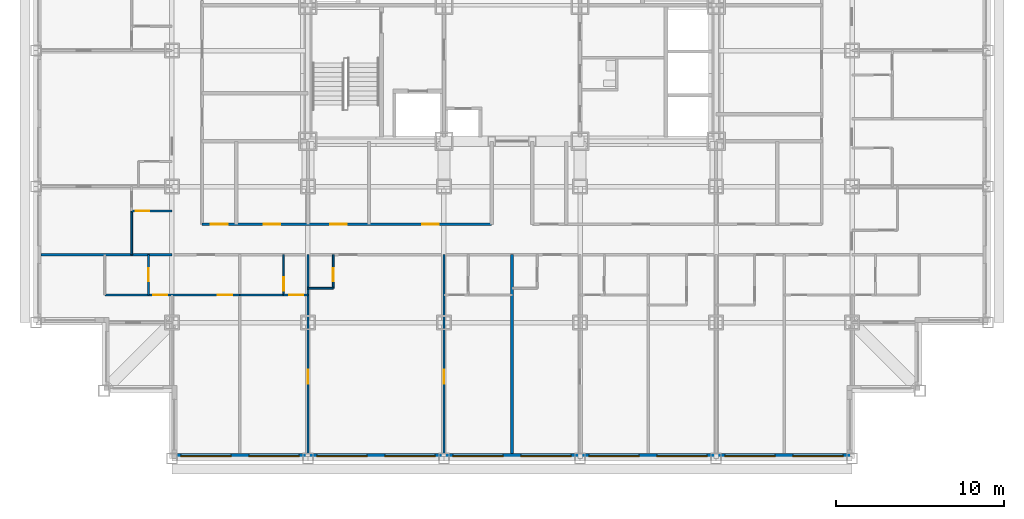
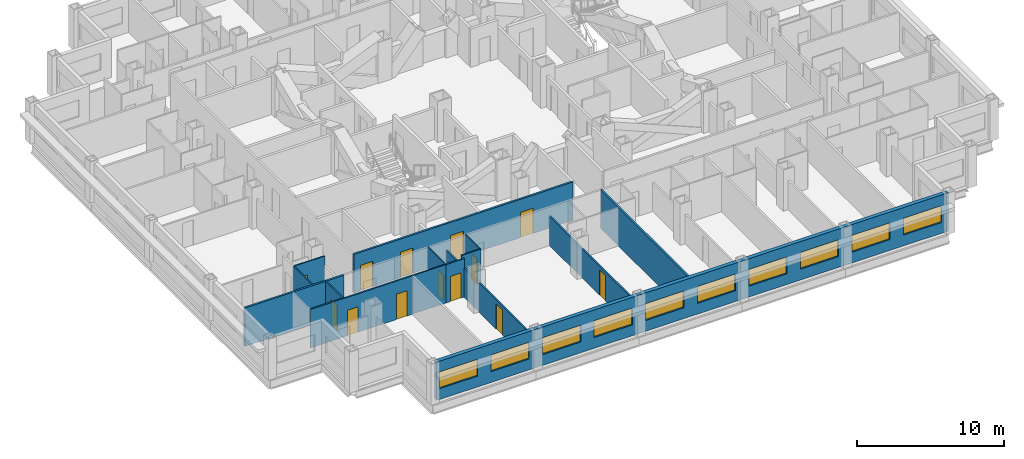
# One storey, part 4 of 14: 15 walls, 13 doors, 10 windows, 23 openings.
"""IFC4 building model written with IfcOpenShell, lengths in metres."""

from ifc_helpers import new_model, si_unit, direction, frame, frame_2d, origin, place, context, subcontext, project, spatial, rectangle, extrude, material, layer, layer_set, type_object, element, fill, save


model = new_model("IFC4")

# Units and contexts
model_context = context("Model", 3, precision=1e-05, world=origin(), true_north=direction((0.0, 1.0)))
body_context = subcontext(model_context, "Body", "Model", "MODEL_VIEW")
ifc_project = project(units=[si_unit("LENGTHUNIT", "METRE"), si_unit("AREAUNIT", "SQUARE_METRE"), si_unit("VOLUMEUNIT", "CUBIC_METRE"), si_unit("PLANEANGLEUNIT", "RADIAN"), si_unit("MASSUNIT", "GRAM", prefix="KILO")], contexts=[model_context])

# Site, building, storey
site_placement = place(None, origin())
site = spatial("IfcSite", under=ifc_project, at=site_placement, CompositionType="ELEMENT")
building_placement = place(site_placement, origin())
building = spatial("IfcBuilding", under=site, at=building_placement, Name="Kopane Lantern Tower", CompositionType="ELEMENT")
storey_placement = place(building_placement, frame((0.0, 0.0, 151.0)))
storey = spatial("IfcBuildingStorey", under=building, at=storey_placement, Name="L39", CompositionType="ELEMENT", Elevation=151.0)

# Wall, opening, door
ifc_material_1 = material(Name="Gypsum board on steel studs", Category="steel")
ifc_layer_1 = layer(ifc_material_1, 0.1201171875)
ifc_layer_set_1 = layer_set([ifc_layer_1], Name="APARTMENT INTERNAL WALL 120")
wall_type_1 = type_object("IfcWallType", Name="APARTMENT INTERNAL WALL 120", PredefinedType="PARTITIONING", material=ifc_layer_set_1)
wall_1_placement = place(storey_placement, frame((16.199951171875, 17.550048828125, 0.0), z_axis=(0.0, 0.0, 1.0), x_axis=(0.0, -1.0, 0.0)))
wall_1 = element("IfcWall", 1, at=wall_1_placement, inside=storey, type_object=wall_type_1, Name="Apartment Internal Wall 120 L39", PredefinedType="PARTITIONING", context=body_context, shape_type="SweptSolid", body=[
    extrude(rectangle(XDim=11.85009765625, YDim=0.1201171875, at=frame_2d((5.925048828125, 0.0))), origin(), (0.0, 0.0, 1.0), 2.420166015625),
])
opening_1_placement = place(wall_1_placement, frame((6.85009765625, 0.0, 0.0)))
opening_1 = element("IfcOpeningElement", 2, at=opening_1_placement, cuts=wall_1, Name="Opening L39-026", PredefinedType="OPENING", context=body_context, shape_type="SweptSolid", body=[
    extrude(rectangle(XDim=0.85009765625, YDim=2.10009765625, at=frame_2d((0.425048828125, 1.050048828125))), frame((0.0, 0.070068359375, 0.0), z_axis=(0.0, -1.0, 0.0), x_axis=(1.0, 0.0, 0.0)), (0.0, 0.0, 1.0), 0.14013671875),
])
ifc_material_2 = material(Name="Timber door set", Category="wood")
door_type_1 = type_object("IfcDoorType", Name="DOOR D4 850x2100", OperationType="SINGLE_SWING_LEFT", PredefinedType="DOOR", material=ifc_material_2)
door_1_placement = place(opening_1_placement, origin())
door_1 = element("IfcDoor", 3, at=door_1_placement, inside=storey, type_object=door_type_1, Name="Door L39-026", OperationType="SINGLE_SWING_RIGHT", OverallHeight=2.10009765625, OverallWidth=0.85009765625, PredefinedType="DOOR", context=body_context, shape_type="SweptSolid", body=[
    extrude(rectangle(XDim=0.85009765625, YDim=2.10009765625, at=frame_2d((0.425048828125, 1.050048828125))), frame((0.0, 0.02490234375, 0.0), z_axis=(0.0, -1.0, 0.0), x_axis=(1.0, 0.0, 0.0)), (0.0, 0.0, 1.0), 0.050048828125),
])
fill(opening_1, door_1)

wall_2_placement = place(storey_placement, frame((24.300048828125, 17.550048828125, 0.0), z_axis=(0.0, 0.0, 1.0), x_axis=(0.0, -1.0, 0.0)))
wall_2 = element("IfcWall", 4, at=wall_2_placement, inside=storey, type_object=wall_type_1, Name="Apartment Internal Wall 120 L39", PredefinedType="PARTITIONING", context=body_context, shape_type="SweptSolid", body=[
    extrude(rectangle(XDim=11.85009765625, YDim=0.1201171875, at=frame_2d((5.925048828125, 0.0))), origin(), (0.0, 0.0, 1.0), 2.420166015625),
])
opening_2_placement = place(wall_2_placement, frame((6.85009765625, 0.0, 0.0)))
opening_2 = element("IfcOpeningElement", 5, at=opening_2_placement, cuts=wall_2, Name="Opening L39-028", PredefinedType="OPENING", context=body_context, shape_type="SweptSolid", body=[
    extrude(rectangle(XDim=0.85009765625, YDim=2.10009765625, at=frame_2d((0.425048828125, 1.050048828125))), frame((0.0, 0.070068359375, 0.0), z_axis=(0.0, -1.0, 0.0), x_axis=(1.0, 0.0, 0.0)), (0.0, 0.0, 1.0), 0.14013671875),
])
door_2_placement = place(opening_2_placement, origin())
door_2 = element("IfcDoor", 6, at=door_2_placement, inside=storey, type_object=door_type_1, Name="Door L39-028", OperationType="SINGLE_SWING_LEFT", OverallHeight=2.10009765625, OverallWidth=0.85009765625, PredefinedType="DOOR", context=body_context, shape_type="SweptSolid", body=[
    extrude(rectangle(XDim=0.85009765625, YDim=2.10009765625, at=frame_2d((0.425048828125, 1.050048828125))), frame((0.0, 0.02490234375, 0.0), z_axis=(0.0, -1.0, 0.0), x_axis=(1.0, 0.0, 0.0)), (0.0, 0.0, 1.0), 0.050048828125),
])
fill(opening_2, door_2)

# Wall, openings, doors
wall_3_placement = place(storey_placement, frame((4.10009765625, 15.14990234375, 0.0), z_axis=(0.0, 0.0, 1.0), x_axis=(1.0, 0.0, 0.0)))
wall_3 = element("IfcWall", 7, at=wall_3_placement, inside=storey, type_object=wall_type_1, Name="Apartment Internal Wall 120 L39", PredefinedType="PARTITIONING", context=body_context, shape_type="SweptSolid", body=[
    extrude(rectangle(XDim=8.0498046875, YDim=0.1201171875, at=frame_2d((4.02490234375, 0.0))), origin(), (0.0, 0.0, 1.0), 3.18994140625),
])
opening_3_placement = place(wall_3_placement, frame((6.72509765625, 0.0, 0.0)))
opening_3 = element("IfcOpeningElement", 8, at=opening_3_placement, cuts=wall_3, Name="Opening L39-077", PredefinedType="OPENING", context=body_context, shape_type="SweptSolid", body=[
    extrude(rectangle(XDim=0.85009765625, YDim=2.10009765625, at=frame_2d((0.425048828125, 1.050048828125))), frame((0.0, 0.070068359375, 0.0), z_axis=(0.0, -1.0, 0.0), x_axis=(1.0, 0.0, 0.0)), (0.0, 0.0, 1.0), 0.14013671875),
])
opening_4_placement = place(wall_3_placement, frame((2.875, 0.0, 0.0)))
opening_4 = element("IfcOpeningElement", 9, at=opening_4_placement, cuts=wall_3, Name="Opening L39-079", PredefinedType="OPENING", context=body_context, shape_type="SweptSolid", body=[
    extrude(rectangle(XDim=0.85009765625, YDim=2.10009765625, at=frame_2d((0.425048828125, 1.050048828125))), frame((0.0, 0.070068359375, 0.0), z_axis=(0.0, -1.0, 0.0), x_axis=(1.0, 0.0, 0.0)), (0.0, 0.0, 1.0), 0.14013671875),
])
door_3_placement = place(opening_3_placement, origin())
door_3 = element("IfcDoor", 10, at=door_3_placement, inside=storey, type_object=door_type_1, Name="Door L39-077", OperationType="SINGLE_SWING_RIGHT", OverallHeight=2.10009765625, OverallWidth=0.85009765625, PredefinedType="DOOR", context=body_context, shape_type="SweptSolid", body=[
    extrude(rectangle(XDim=0.85009765625, YDim=2.10009765625, at=frame_2d((0.425048828125, 1.050048828125))), frame((0.0, 0.02490234375, 0.0), z_axis=(0.0, -1.0, 0.0), x_axis=(1.0, 0.0, 0.0)), (0.0, 0.0, 1.0), 0.050048828125),
])
fill(opening_3, door_3)
door_4_placement = place(opening_4_placement, origin())
door_4 = element("IfcDoor", 11, at=door_4_placement, inside=storey, type_object=door_type_1, Name="Door L39-079", OperationType="SINGLE_SWING_LEFT", OverallHeight=2.10009765625, OverallWidth=0.85009765625, PredefinedType="DOOR", context=body_context, shape_type="SweptSolid", body=[
    extrude(rectangle(XDim=0.85009765625, YDim=2.10009765625, at=frame_2d((0.425048828125, 1.050048828125))), frame((0.0, 0.02490234375, 0.0), z_axis=(0.0, -1.0, 0.0), x_axis=(1.0, 0.0, 0.0)), (0.0, 0.0, 1.0), 0.050048828125),
])
fill(opening_4, door_4)

# Wall, opening, door
wall_4_placement = place(storey_placement, frame((16.199951171875, 15.14990234375, 0.0), z_axis=(0.0, 0.0, 1.0), x_axis=(-1.0, 0.0, 0.0)))
wall_4 = element("IfcWall", 12, at=wall_4_placement, inside=storey, type_object=wall_type_1, Name="Apartment Internal Wall 120 L39", PredefinedType="PARTITIONING", context=body_context, shape_type="SweptSolid", body=[
    extrude(rectangle(XDim=1.4599609375, YDim=0.1201171875, at=frame_2d((0.72998046875, 0.0))), origin(), (0.0, 0.0, 1.0), 3.18994140625),
])
opening_5_placement = place(wall_4_placement, frame((0.27490234375, 0.0, 0.0)))
opening_5 = element("IfcOpeningElement", 13, at=opening_5_placement, cuts=wall_4, Name="Opening L39-092", PredefinedType="OPENING", context=body_context, shape_type="SweptSolid", body=[
    extrude(rectangle(XDim=0.85009765625, YDim=2.10009765625, at=frame_2d((0.425048828125, 1.050048828125))), frame((0.0, 0.070068359375, 0.0), z_axis=(0.0, -1.0, 0.0), x_axis=(1.0, 0.0, 0.0)), (0.0, 0.0, 1.0), 0.14013671875),
])
door_5_placement = place(opening_5_placement, origin())
door_5 = element("IfcDoor", 14, at=door_5_placement, inside=storey, type_object=door_type_1, Name="Door L39-092", OperationType="SINGLE_SWING_LEFT", OverallHeight=2.10009765625, OverallWidth=0.85009765625, PredefinedType="DOOR", context=body_context, shape_type="SweptSolid", body=[
    extrude(rectangle(XDim=0.85009765625, YDim=2.10009765625, at=frame_2d((0.425048828125, 1.050048828125))), frame((0.0, 0.02490234375, 0.0), z_axis=(0.0, -1.0, 0.0), x_axis=(1.0, 0.0, 0.0)), (0.0, 0.0, 1.0), 0.050048828125),
])
fill(opening_5, door_5)

# Wall
ifc_material_3 = material(Name="Moisture-resistant board on steel studs", Category="steel")
ifc_layer_2 = layer(ifc_material_3, 0.10009765625)
ifc_layer_set_2 = layer_set([ifc_layer_2], Name="BATHROOM WALL 100")
wall_type_2 = type_object("IfcWallType", Name="BATHROOM WALL 100", PredefinedType="PARTITIONING", material=ifc_layer_set_2)
wall_5_placement = place(storey_placement, frame((16.199951171875, 15.550048828125, 0.0), z_axis=(0.0, 0.0, 1.0), x_axis=(1.0, 0.0, 0.0)))
element("IfcWall", 15, at=wall_5_placement, inside=storey, type_object=wall_type_2, Name="Bathroom Wall 100 L39", PredefinedType="PARTITIONING", context=body_context, shape_type="SweptSolid", body=[
    extrude(rectangle(XDim=1.5, YDim=0.10009765625, at=frame_2d((0.75, 0.0))), origin(), (0.0, 0.0, 1.0), 3.18994140625),
])

# Wall, opening, door
wall_6_placement = place(storey_placement, frame((17.699951171875, 17.550048828125, 0.0), z_axis=(0.0, 0.0, 1.0), x_axis=(0.0, -1.0, 0.0)))
wall_6 = element("IfcWall", 16, at=wall_6_placement, inside=storey, type_object=wall_type_2, Name="Bathroom Wall 100 L39", PredefinedType="PARTITIONING", context=body_context, shape_type="SweptSolid", body=[
    extrude(rectangle(XDim=2.0, YDim=0.10009765625, at=frame_2d((1.0, 0.0))), origin(), (0.0, 0.0, 1.0), 3.18994140625),
])
opening_6_placement = place(wall_6_placement, frame((0.800048828125, 0.0, 0.0)))
opening_6 = element("IfcOpeningElement", 17, at=opening_6_placement, cuts=wall_6, Name="Opening L39-023", PredefinedType="OPENING", context=body_context, shape_type="SweptSolid", body=[
    extrude(rectangle(XDim=0.800048828125, YDim=2.10009765625, at=frame_2d((0.39990234375, 1.050048828125))), frame((0.0, 0.06005859375, 0.0), z_axis=(0.0, -1.0, 0.0), x_axis=(1.0, 0.0, 0.0)), (0.0, 0.0, 1.0), 0.1201171875),
])
ifc_material_4 = material(Name="Timber door set", Category="wood")
door_type_2 = type_object("IfcDoorType", Name="DOOR D2 800x2100", OperationType="SINGLE_SWING_LEFT", PredefinedType="DOOR", material=ifc_material_4)
door_6_placement = place(opening_6_placement, origin())
door_6 = element("IfcDoor", 18, at=door_6_placement, inside=storey, type_object=door_type_2, Name="Door L39-023", OperationType="SINGLE_SWING_LEFT", OverallHeight=2.10009765625, OverallWidth=0.800048828125, PredefinedType="DOOR", context=body_context, shape_type="SweptSolid", body=[
    extrude(rectangle(XDim=0.800048828125, YDim=2.10009765625, at=frame_2d((0.39990234375, 1.050048828125))), frame((0.0, 0.02490234375, 0.0), z_axis=(0.0, -1.0, 0.0), x_axis=(1.0, 0.0, 0.0)), (0.0, 0.0, 1.0), 0.050048828125),
])
fill(opening_6, door_6)

# Wall
wall_7_placement = place(storey_placement, frame((12.14990234375, 15.14990234375, 0.0), z_axis=(0.0, 0.0, 1.0), x_axis=(1.0, 0.0, 0.0)))
element("IfcWall", 19, at=wall_7_placement, inside=storey, type_object=wall_type_2, Name="Bathroom Wall 100 L39", PredefinedType="PARTITIONING", context=body_context, shape_type="SweptSolid", body=[
    extrude(rectangle(XDim=2.60009765625, YDim=0.10009765625, at=frame_2d((1.300048828125, 0.0))), origin(), (0.0, 0.0, 1.0), 3.18994140625),
])

# Wall, opening, door
wall_8_placement = place(storey_placement, frame((14.75, 17.550048828125, 0.0), z_axis=(0.0, 0.0, 1.0), x_axis=(0.0, -1.0, 0.0)))
wall_8 = element("IfcWall", 20, at=wall_8_placement, inside=storey, type_object=wall_type_2, Name="Bathroom Wall 100 L39", PredefinedType="PARTITIONING", context=body_context, shape_type="SweptSolid", body=[
    extrude(rectangle(XDim=2.400146484375, YDim=0.10009765625, at=frame_2d((1.2001953125, 0.0))), origin(), (0.0, 0.0, 1.0), 3.18994140625),
])
opening_7_placement = place(wall_8_placement, frame((1.35009765625, 0.0, 0.0)))
opening_7 = element("IfcOpeningElement", 21, at=opening_7_placement, cuts=wall_8, Name="Opening L39-025", PredefinedType="OPENING", context=body_context, shape_type="SweptSolid", body=[
    extrude(rectangle(XDim=0.800048828125, YDim=2.10009765625, at=frame_2d((0.39990234375, 1.050048828125))), frame((0.0, 0.06005859375, 0.0), z_axis=(0.0, -1.0, 0.0), x_axis=(1.0, 0.0, 0.0)), (0.0, 0.0, 1.0), 0.1201171875),
])
door_7_placement = place(opening_7_placement, origin())
door_7 = element("IfcDoor", 22, at=door_7_placement, inside=storey, type_object=door_type_2, Name="Door L39-025", OperationType="SINGLE_SWING_RIGHT", OverallHeight=2.10009765625, OverallWidth=0.800048828125, PredefinedType="DOOR", context=body_context, shape_type="SweptSolid", body=[
    extrude(rectangle(XDim=0.800048828125, YDim=2.10009765625, at=frame_2d((0.39990234375, 1.050048828125))), frame((0.0, 0.02490234375, 0.0), z_axis=(0.0, -1.0, 0.0), x_axis=(1.0, 0.0, 0.0)), (0.0, 0.0, 1.0), 0.050048828125),
])
fill(opening_7, door_7)

# Wall
wall_9_placement = place(storey_placement, frame((5.699951171875, 17.550048828125, 0.0), z_axis=(0.0, 0.0, 1.0), x_axis=(0.0, 1.0, 0.0)))
element("IfcWall", 23, at=wall_9_placement, inside=storey, type_object=wall_type_2, Name="Bathroom Wall 100 L39", PredefinedType="PARTITIONING", context=body_context, shape_type="SweptSolid", body=[
    extrude(rectangle(XDim=2.599853515625, YDim=0.10009765625, at=frame_2d((1.2998046875, 0.0))), origin(), (0.0, 0.0, 1.0), 3.18994140625),
])

# Wall, opening, door
wall_10_placement = place(storey_placement, frame((8.10009765625, 20.14990234375, 0.0), z_axis=(0.0, 0.0, 1.0), x_axis=(-1.0, 0.0, 0.0)))
wall_10 = element("IfcWall", 24, at=wall_10_placement, inside=storey, type_object=wall_type_2, Name="Bathroom Wall 100 L39", PredefinedType="PARTITIONING", context=body_context, shape_type="SweptSolid", body=[
    extrude(rectangle(XDim=2.400146484375, YDim=0.10009765625, at=frame_2d((1.2001953125, 0.0))), origin(), (0.0, 0.0, 1.0), 3.18994140625),
])
opening_8_placement = place(wall_10_placement, frame((1.35009765625, 0.0, 0.0)))
opening_8 = element("IfcOpeningElement", 25, at=opening_8_placement, cuts=wall_10, Name="Opening L39-053", PredefinedType="OPENING", context=body_context, shape_type="SweptSolid", body=[
    extrude(rectangle(XDim=0.800048828125, YDim=2.10009765625, at=frame_2d((0.39990234375, 1.050048828125))), frame((0.0, 0.06005859375, 0.0), z_axis=(0.0, -1.0, 0.0), x_axis=(1.0, 0.0, 0.0)), (0.0, 0.0, 1.0), 0.1201171875),
])
door_8_placement = place(opening_8_placement, origin())
door_8 = element("IfcDoor", 26, at=door_8_placement, inside=storey, type_object=door_type_2, Name="Door L39-053", OperationType="SINGLE_SWING_LEFT", OverallHeight=2.10009765625, OverallWidth=0.800048828125, PredefinedType="DOOR", context=body_context, shape_type="SweptSolid", body=[
    extrude(rectangle(XDim=0.800048828125, YDim=2.10009765625, at=frame_2d((0.39990234375, 1.050048828125))), frame((0.0, 0.02490234375, 0.0), z_axis=(0.0, -1.0, 0.0), x_axis=(1.0, 0.0, 0.0)), (0.0, 0.0, 1.0), 0.050048828125),
])
fill(opening_8, door_8)

wall_11_placement = place(storey_placement, frame((6.699951171875, 17.550048828125, 0.0), z_axis=(0.0, 0.0, 1.0), x_axis=(0.0, -1.0, 0.0)))
wall_11 = element("IfcWall", 27, at=wall_11_placement, inside=storey, type_object=wall_type_2, Name="Bathroom Wall 100 L39", PredefinedType="PARTITIONING", context=body_context, shape_type="SweptSolid", body=[
    extrude(rectangle(XDim=2.400146484375, YDim=0.10009765625, at=frame_2d((1.2001953125, 0.0))), origin(), (0.0, 0.0, 1.0), 3.18994140625),
])
opening_9_placement = place(wall_11_placement, frame((0.800048828125, 0.0, 0.0)))
opening_9 = element("IfcOpeningElement", 28, at=opening_9_placement, cuts=wall_11, Name="Opening L39-078", PredefinedType="OPENING", context=body_context, shape_type="SweptSolid", body=[
    extrude(rectangle(XDim=0.800048828125, YDim=2.10009765625, at=frame_2d((0.39990234375, 1.050048828125))), frame((0.0, 0.06005859375, 0.0), z_axis=(0.0, -1.0, 0.0), x_axis=(1.0, 0.0, 0.0)), (0.0, 0.0, 1.0), 0.1201171875),
])
door_9_placement = place(opening_9_placement, origin())
door_9 = element("IfcDoor", 29, at=door_9_placement, inside=storey, type_object=door_type_2, Name="Door L39-078", OperationType="SINGLE_SWING_RIGHT", OverallHeight=2.10009765625, OverallWidth=0.800048828125, PredefinedType="DOOR", context=body_context, shape_type="SweptSolid", body=[
    extrude(rectangle(XDim=0.800048828125, YDim=2.10009765625, at=frame_2d((0.39990234375, 1.050048828125))), frame((0.0, 0.02490234375, 0.0), z_axis=(0.0, -1.0, 0.0), x_axis=(1.0, 0.0, 0.0)), (0.0, 0.0, 1.0), 0.050048828125),
])
fill(opening_9, door_9)

# Wall, openings, doors
ifc_material_5 = material(Name="Gypsum board on steel studs", Category="steel")
ifc_layer_3 = layer(ifc_material_5, 0.14990234375)
ifc_layer_set_3 = layer_set([ifc_layer_3], Name="CORRIDOR WALL 150 EI 60")
wall_type_3 = type_object("IfcWallType", Name="CORRIDOR WALL 150 EI 60", PredefinedType="PARTITIONING", material=ifc_layer_set_3)
wall_12_placement = place(storey_placement, frame((9.89990234375, 19.35009765625, 0.0), z_axis=(0.0, 0.0, 1.0), x_axis=(1.0, 0.0, 0.0)))
wall_12 = element("IfcWall", 30, at=wall_12_placement, inside=storey, type_object=wall_type_3, Name="Corridor Wall 150 Ei 60 L39", PredefinedType="PARTITIONING", context=body_context, shape_type="SweptSolid", body=[
    extrude(rectangle(XDim=17.239990234375, YDim=0.14990234375, at=frame_2d((8.6201171875, 0.0))), origin(), (0.0, 0.0, 1.0), 3.18994140625),
])
opening_10_placement = place(wall_12_placement, frame((0.510009765625, 0.0, 0.0)))
opening_10 = element("IfcOpeningElement", 31, at=opening_10_placement, cuts=wall_12, Name="Opening L39-008", PredefinedType="OPENING", context=body_context, shape_type="SweptSolid", body=[
    extrude(rectangle(XDim=1.0, YDim=2.10009765625, at=frame_2d((0.5, 1.050048828125))), frame((0.0, 0.0849609375, 0.0), z_axis=(0.0, -1.0, 0.0), x_axis=(1.0, 0.0, 0.0)), (0.0, 0.0, 1.0), 0.169921875),
])
opening_11_placement = place(wall_12_placement, frame((3.66015625, 0.0, 0.0)))
opening_11 = element("IfcOpeningElement", 32, at=opening_11_placement, cuts=wall_12, Name="Opening L39-009", PredefinedType="OPENING", context=body_context, shape_type="SweptSolid", body=[
    extrude(rectangle(XDim=1.0, YDim=2.10009765625, at=frame_2d((0.5, 1.050048828125))), frame((0.0, 0.0849609375, 0.0), z_axis=(0.0, -1.0, 0.0), x_axis=(1.0, 0.0, 0.0)), (0.0, 0.0, 1.0), 0.169921875),
])
opening_12_placement = place(wall_12_placement, frame((7.6181640625, 0.0, 0.0)))
opening_12 = element("IfcOpeningElement", 33, at=opening_12_placement, cuts=wall_12, Name="Opening L39-010", PredefinedType="OPENING", context=body_context, shape_type="SweptSolid", body=[
    extrude(rectangle(XDim=1.0, YDim=2.10009765625, at=frame_2d((0.5, 1.050048828125))), frame((0.0, 0.0849609375, 0.0), z_axis=(0.0, -1.0, 0.0), x_axis=(1.0, 0.0, 0.0)), (0.0, 0.0, 1.0), 0.169921875),
])
opening_13_placement = place(wall_12_placement, frame((13.09326171875, 0.0, 0.0)))
opening_13 = element("IfcOpeningElement", 34, at=opening_13_placement, cuts=wall_12, Name="Opening L39-011", PredefinedType="OPENING", context=body_context, shape_type="SweptSolid", body=[
    extrude(rectangle(XDim=1.0, YDim=2.10009765625, at=frame_2d((0.5, 1.050048828125))), frame((0.0, 0.0849609375, 0.0), z_axis=(0.0, -1.0, 0.0), x_axis=(1.0, 0.0, 0.0)), (0.0, 0.0, 1.0), 0.169921875),
])
ifc_material_6 = material(Name="Steel door set", Category="steel")
door_type_3 = type_object("IfcDoorType", Name="DOOR D5 1000x2100 FD60", OperationType="SINGLE_SWING_LEFT", PredefinedType="DOOR", material=ifc_material_6)
door_10_placement = place(opening_10_placement, origin())
door_10 = element("IfcDoor", 35, at=door_10_placement, inside=storey, type_object=door_type_3, Name="Door L39-008", OperationType="SINGLE_SWING_LEFT", OverallHeight=2.10009765625, OverallWidth=1.0, PredefinedType="DOOR", context=body_context, shape_type="SweptSolid", body=[
    extrude(rectangle(XDim=1.0, YDim=2.10009765625, at=frame_2d((0.5, 1.050048828125))), frame((0.0, 0.02490234375, 0.0), z_axis=(0.0, -1.0, 0.0), x_axis=(1.0, 0.0, 0.0)), (0.0, 0.0, 1.0), 0.050048828125),
])
fill(opening_10, door_10)
door_11_placement = place(opening_11_placement, origin())
door_11 = element("IfcDoor", 36, at=door_11_placement, inside=storey, type_object=door_type_3, Name="Door L39-009", OperationType="SINGLE_SWING_RIGHT", OverallHeight=2.10009765625, OverallWidth=1.0, PredefinedType="DOOR", context=body_context, shape_type="SweptSolid", body=[
    extrude(rectangle(XDim=1.0, YDim=2.10009765625, at=frame_2d((0.5, 1.050048828125))), frame((0.0, 0.02490234375, 0.0), z_axis=(0.0, -1.0, 0.0), x_axis=(1.0, 0.0, 0.0)), (0.0, 0.0, 1.0), 0.050048828125),
])
fill(opening_11, door_11)
door_12_placement = place(opening_12_placement, origin())
door_12 = element("IfcDoor", 37, at=door_12_placement, inside=storey, type_object=door_type_3, Name="Door L39-010", OperationType="SINGLE_SWING_LEFT", OverallHeight=2.10009765625, OverallWidth=1.0, PredefinedType="DOOR", context=body_context, shape_type="SweptSolid", body=[
    extrude(rectangle(XDim=1.0, YDim=2.10009765625, at=frame_2d((0.5, 1.050048828125))), frame((0.0, 0.02490234375, 0.0), z_axis=(0.0, -1.0, 0.0), x_axis=(1.0, 0.0, 0.0)), (0.0, 0.0, 1.0), 0.050048828125),
])
fill(opening_12, door_12)
door_13_placement = place(opening_13_placement, origin())
door_13 = element("IfcDoor", 38, at=door_13_placement, inside=storey, type_object=door_type_3, Name="Door L39-011", OperationType="SINGLE_SWING_RIGHT", OverallHeight=2.10009765625, OverallWidth=1.0, PredefinedType="DOOR", context=body_context, shape_type="SweptSolid", body=[
    extrude(rectangle(XDim=1.0, YDim=2.10009765625, at=frame_2d((0.5, 1.050048828125))), frame((0.0, 0.02490234375, 0.0), z_axis=(0.0, -1.0, 0.0), x_axis=(1.0, 0.0, 0.0)), (0.0, 0.0, 1.0), 0.050048828125),
])
fill(opening_13, door_13)

# Walls
ifc_material_7 = material(Name="Gypsum board on steel studs", Category="steel")
ifc_layer_4 = layer(ifc_material_7, 0.14990234375)
ifc_layer_set_4 = layer_set([ifc_layer_4], Name="DEMISING WALL 150 EI 60")
wall_type_4 = type_object("IfcWallType", Name="DEMISING WALL 150 EI 60", PredefinedType="PARTITIONING", material=ifc_layer_set_4)
wall_13_placement = place(storey_placement, frame((28.35009765625, 17.550048828125, 0.0), z_axis=(0.0, 0.0, 1.0), x_axis=(0.0, -1.0, 0.0)))
element("IfcWall", 39, at=wall_13_placement, inside=storey, type_object=wall_type_4, Name="Demising Wall 150 Ei 60 L39", PredefinedType="PARTITIONING", context=body_context, shape_type="SweptSolid", body=[
    extrude(rectangle(XDim=11.85009765625, YDim=0.14990234375, at=frame_2d((5.925048828125, 0.0))), origin(), (0.0, 0.0, 1.0), 3.18994140625),
])
wall_14_placement = place(storey_placement, frame((0.300048828125, 17.550048828125, 0.0), z_axis=(0.0, 0.0, 1.0), x_axis=(1.0, 0.0, 0.0)))
element("IfcWall", 40, at=wall_14_placement, inside=storey, type_object=wall_type_4, Name="Demising Wall 150 Ei 60 L39", PredefinedType="PARTITIONING", context=body_context, shape_type="SweptSolid", body=[
    extrude(rectangle(XDim=7.800048828125, YDim=0.14990234375, at=frame_2d((3.89990234375, 0.0))), origin(), (0.0, 0.0, 1.0), 3.18994140625),
])

# Wall, openings, windows
ifc_material_8 = material(Name="Terracotta rainscreen on light steel framing", Category="masonry")
ifc_layer_5 = layer(ifc_material_8, 0.300048828125)
ifc_layer_set_5 = layer_set([ifc_layer_5], Name="EXTERNAL WALL EW1 300 TERRACOTTA")
wall_type_5 = type_object("IfcWallType", Name="EXTERNAL WALL EW1 300 TERRACOTTA", PredefinedType="SOLIDWALL", material=ifc_layer_set_5)
wall_15_placement = place(storey_placement, frame((8.39990234375, 5.550048828125, 0.0), z_axis=(0.0, 0.0, 1.0), x_axis=(1.0, 0.0, 0.0)))
wall_15 = element("IfcWall", 41, at=wall_15_placement, inside=storey, type_object=wall_type_5, Name="External wall S L39", PredefinedType="SOLIDWALL", context=body_context, shape_type="SweptSolid", body=[
    extrude(rectangle(XDim=40.2001953125, YDim=0.300048828125, at=frame_2d((20.10009765625, 0.0))), origin(), (0.0, 0.0, 1.0), 3.18994140625),
])
opening_14_placement = place(wall_15_placement, frame((0.22509765625, 0.0, 0.89990234375)))
opening_14 = element("IfcOpeningElement", 42, at=opening_14_placement, cuts=wall_15, Name="Opening WR300140", PredefinedType="OPENING", context=body_context, shape_type="SweptSolid", body=[
    extrude(rectangle(XDim=3.0, YDim=1.39990234375, at=frame_2d((1.5, 0.699951171875))), frame((0.0, 0.159912109375, 0.0), z_axis=(0.0, -1.0, 0.0), x_axis=(1.0, 0.0, 0.0)), (0.0, 0.0, 1.0), 0.320068359375),
])
opening_15_placement = place(wall_15_placement, frame((4.27490234375, 0.0, 0.89990234375)))
opening_15 = element("IfcOpeningElement", 43, at=opening_15_placement, cuts=wall_15, Name="Opening WR300140", PredefinedType="OPENING", context=body_context, shape_type="SweptSolid", body=[
    extrude(rectangle(XDim=3.0, YDim=1.39990234375, at=frame_2d((1.5, 0.699951171875))), frame((0.0, 0.159912109375, 0.0), z_axis=(0.0, -1.0, 0.0), x_axis=(1.0, 0.0, 0.0)), (0.0, 0.0, 1.0), 0.320068359375),
])
opening_16_placement = place(wall_15_placement, frame((8.324951171875, 0.0, 0.89990234375)))
opening_16 = element("IfcOpeningElement", 44, at=opening_16_placement, cuts=wall_15, Name="Opening WR300140", PredefinedType="OPENING", context=body_context, shape_type="SweptSolid", body=[
    extrude(rectangle(XDim=3.0, YDim=1.39990234375, at=frame_2d((1.5, 0.699951171875))), frame((0.0, 0.159912109375, 0.0), z_axis=(0.0, -1.0, 0.0), x_axis=(1.0, 0.0, 0.0)), (0.0, 0.0, 1.0), 0.320068359375),
])
opening_17_placement = place(wall_15_placement, frame((12.375, 0.0, 0.89990234375)))
opening_17 = element("IfcOpeningElement", 45, at=opening_17_placement, cuts=wall_15, Name="Opening WR300140", PredefinedType="OPENING", context=body_context, shape_type="SweptSolid", body=[
    extrude(rectangle(XDim=3.0, YDim=1.39990234375, at=frame_2d((1.5, 0.699951171875))), frame((0.0, 0.159912109375, 0.0), z_axis=(0.0, -1.0, 0.0), x_axis=(1.0, 0.0, 0.0)), (0.0, 0.0, 1.0), 0.320068359375),
])
opening_18_placement = place(wall_15_placement, frame((16.425048828125, 0.0, 0.89990234375)))
opening_18 = element("IfcOpeningElement", 46, at=opening_18_placement, cuts=wall_15, Name="Opening WR300140", PredefinedType="OPENING", context=body_context, shape_type="SweptSolid", body=[
    extrude(rectangle(XDim=3.0, YDim=1.39990234375, at=frame_2d((1.5, 0.699951171875))), frame((0.0, 0.159912109375, 0.0), z_axis=(0.0, -1.0, 0.0), x_axis=(1.0, 0.0, 0.0)), (0.0, 0.0, 1.0), 0.320068359375),
])
opening_19_placement = place(wall_15_placement, frame((20.47509765625, 0.0, 0.89990234375)))
opening_19 = element("IfcOpeningElement", 47, at=opening_19_placement, cuts=wall_15, Name="Opening WR300140", PredefinedType="OPENING", context=body_context, shape_type="SweptSolid", body=[
    extrude(rectangle(XDim=3.0, YDim=1.39990234375, at=frame_2d((1.5, 0.699951171875))), frame((0.0, 0.159912109375, 0.0), z_axis=(0.0, -1.0, 0.0), x_axis=(1.0, 0.0, 0.0)), (0.0, 0.0, 1.0), 0.320068359375),
])
opening_20_placement = place(wall_15_placement, frame((24.52490234375, 0.0, 0.89990234375)))
opening_20 = element("IfcOpeningElement", 48, at=opening_20_placement, cuts=wall_15, Name="Opening WR300140", PredefinedType="OPENING", context=body_context, shape_type="SweptSolid", body=[
    extrude(rectangle(XDim=3.0, YDim=1.39990234375, at=frame_2d((1.5, 0.699951171875))), frame((0.0, 0.159912109375, 0.0), z_axis=(0.0, -1.0, 0.0), x_axis=(1.0, 0.0, 0.0)), (0.0, 0.0, 1.0), 0.320068359375),
])
opening_21_placement = place(wall_15_placement, frame((28.574951171875, 0.0, 0.89990234375)))
opening_21 = element("IfcOpeningElement", 49, at=opening_21_placement, cuts=wall_15, Name="Opening WR300140", PredefinedType="OPENING", context=body_context, shape_type="SweptSolid", body=[
    extrude(rectangle(XDim=3.0, YDim=1.39990234375, at=frame_2d((1.5, 0.699951171875))), frame((0.0, 0.159912109375, 0.0), z_axis=(0.0, -1.0, 0.0), x_axis=(1.0, 0.0, 0.0)), (0.0, 0.0, 1.0), 0.320068359375),
])
opening_22_placement = place(wall_15_placement, frame((32.625, 0.0, 0.89990234375)))
opening_22 = element("IfcOpeningElement", 50, at=opening_22_placement, cuts=wall_15, Name="Opening WR300140", PredefinedType="OPENING", context=body_context, shape_type="SweptSolid", body=[
    extrude(rectangle(XDim=3.0, YDim=1.39990234375, at=frame_2d((1.5, 0.699951171875))), frame((0.0, 0.159912109375, 0.0), z_axis=(0.0, -1.0, 0.0), x_axis=(1.0, 0.0, 0.0)), (0.0, 0.0, 1.0), 0.320068359375),
])
opening_23_placement = place(wall_15_placement, frame((36.675048828125, 0.0, 0.89990234375)))
opening_23 = element("IfcOpeningElement", 51, at=opening_23_placement, cuts=wall_15, Name="Opening WR300140", PredefinedType="OPENING", context=body_context, shape_type="SweptSolid", body=[
    extrude(rectangle(XDim=3.0, YDim=1.39990234375, at=frame_2d((1.5, 0.699951171875))), frame((0.0, 0.159912109375, 0.0), z_axis=(0.0, -1.0, 0.0), x_axis=(1.0, 0.0, 0.0)), (0.0, 0.0, 1.0), 0.320068359375),
])
ifc_material_9 = material(Name="Aluminium and clear glass", Category="aluminium")
window_type = type_object("IfcWindowType", Name="RIBBON WINDOW WR300140 3000x1400", PartitioningType="SINGLE_PANEL", PredefinedType="WINDOW", material=ifc_material_9)
window_1_placement = place(opening_14_placement, origin())
window_1 = element("IfcWindow", 52, at=window_1_placement, inside=storey, type_object=window_type, Name="Window S L39", OverallHeight=1.39990234375, OverallWidth=3.0, PartitioningType="SINGLE_PANEL", PredefinedType="WINDOW", context=body_context, shape_type="SweptSolid", body=[
    extrude(rectangle(XDim=3.0, YDim=1.39990234375, at=frame_2d((1.5, 0.699951171875))), frame((0.0, 0.030029296875, 0.0), z_axis=(0.0, -1.0, 0.0), x_axis=(1.0, 0.0, 0.0)), (0.0, 0.0, 1.0), 0.06005859375),
])
fill(opening_14, window_1)
window_2_placement = place(opening_15_placement, origin())
window_2 = element("IfcWindow", 53, at=window_2_placement, inside=storey, type_object=window_type, Name="Window S L39", OverallHeight=1.39990234375, OverallWidth=3.0, PartitioningType="SINGLE_PANEL", PredefinedType="WINDOW", context=body_context, shape_type="SweptSolid", body=[
    extrude(rectangle(XDim=3.0, YDim=1.39990234375, at=frame_2d((1.5, 0.699951171875))), frame((0.0, 0.030029296875, 0.0), z_axis=(0.0, -1.0, 0.0), x_axis=(1.0, 0.0, 0.0)), (0.0, 0.0, 1.0), 0.06005859375),
])
fill(opening_15, window_2)
window_3_placement = place(opening_16_placement, origin())
window_3 = element("IfcWindow", 54, at=window_3_placement, inside=storey, type_object=window_type, Name="Window S L39", OverallHeight=1.39990234375, OverallWidth=3.0, PartitioningType="SINGLE_PANEL", PredefinedType="WINDOW", context=body_context, shape_type="SweptSolid", body=[
    extrude(rectangle(XDim=3.0, YDim=1.39990234375, at=frame_2d((1.5, 0.699951171875))), frame((0.0, 0.030029296875, 0.0), z_axis=(0.0, -1.0, 0.0), x_axis=(1.0, 0.0, 0.0)), (0.0, 0.0, 1.0), 0.06005859375),
])
fill(opening_16, window_3)
window_4_placement = place(opening_17_placement, origin())
window_4 = element("IfcWindow", 55, at=window_4_placement, inside=storey, type_object=window_type, Name="Window S L39", OverallHeight=1.39990234375, OverallWidth=3.0, PartitioningType="SINGLE_PANEL", PredefinedType="WINDOW", context=body_context, shape_type="SweptSolid", body=[
    extrude(rectangle(XDim=3.0, YDim=1.39990234375, at=frame_2d((1.5, 0.699951171875))), frame((0.0, 0.030029296875, 0.0), z_axis=(0.0, -1.0, 0.0), x_axis=(1.0, 0.0, 0.0)), (0.0, 0.0, 1.0), 0.06005859375),
])
fill(opening_17, window_4)
window_5_placement = place(opening_18_placement, origin())
window_5 = element("IfcWindow", 56, at=window_5_placement, inside=storey, type_object=window_type, Name="Window S L39", OverallHeight=1.39990234375, OverallWidth=3.0, PartitioningType="SINGLE_PANEL", PredefinedType="WINDOW", context=body_context, shape_type="SweptSolid", body=[
    extrude(rectangle(XDim=3.0, YDim=1.39990234375, at=frame_2d((1.5, 0.699951171875))), frame((0.0, 0.030029296875, 0.0), z_axis=(0.0, -1.0, 0.0), x_axis=(1.0, 0.0, 0.0)), (0.0, 0.0, 1.0), 0.06005859375),
])
fill(opening_18, window_5)
window_6_placement = place(opening_19_placement, origin())
window_6 = element("IfcWindow", 57, at=window_6_placement, inside=storey, type_object=window_type, Name="Window S L39", OverallHeight=1.39990234375, OverallWidth=3.0, PartitioningType="SINGLE_PANEL", PredefinedType="WINDOW", context=body_context, shape_type="SweptSolid", body=[
    extrude(rectangle(XDim=3.0, YDim=1.39990234375, at=frame_2d((1.5, 0.699951171875))), frame((0.0, 0.030029296875, 0.0), z_axis=(0.0, -1.0, 0.0), x_axis=(1.0, 0.0, 0.0)), (0.0, 0.0, 1.0), 0.06005859375),
])
fill(opening_19, window_6)
window_7_placement = place(opening_20_placement, origin())
window_7 = element("IfcWindow", 58, at=window_7_placement, inside=storey, type_object=window_type, Name="Window S L39", OverallHeight=1.39990234375, OverallWidth=3.0, PartitioningType="SINGLE_PANEL", PredefinedType="WINDOW", context=body_context, shape_type="SweptSolid", body=[
    extrude(rectangle(XDim=3.0, YDim=1.39990234375, at=frame_2d((1.5, 0.699951171875))), frame((0.0, 0.030029296875, 0.0), z_axis=(0.0, -1.0, 0.0), x_axis=(1.0, 0.0, 0.0)), (0.0, 0.0, 1.0), 0.06005859375),
])
fill(opening_20, window_7)
window_8_placement = place(opening_21_placement, origin())
window_8 = element("IfcWindow", 59, at=window_8_placement, inside=storey, type_object=window_type, Name="Window S L39", OverallHeight=1.39990234375, OverallWidth=3.0, PartitioningType="SINGLE_PANEL", PredefinedType="WINDOW", context=body_context, shape_type="SweptSolid", body=[
    extrude(rectangle(XDim=3.0, YDim=1.39990234375, at=frame_2d((1.5, 0.699951171875))), frame((0.0, 0.030029296875, 0.0), z_axis=(0.0, -1.0, 0.0), x_axis=(1.0, 0.0, 0.0)), (0.0, 0.0, 1.0), 0.06005859375),
])
fill(opening_21, window_8)
window_9_placement = place(opening_22_placement, origin())
window_9 = element("IfcWindow", 60, at=window_9_placement, inside=storey, type_object=window_type, Name="Window S L39", OverallHeight=1.39990234375, OverallWidth=3.0, PartitioningType="SINGLE_PANEL", PredefinedType="WINDOW", context=body_context, shape_type="SweptSolid", body=[
    extrude(rectangle(XDim=3.0, YDim=1.39990234375, at=frame_2d((1.5, 0.699951171875))), frame((0.0, 0.030029296875, 0.0), z_axis=(0.0, -1.0, 0.0), x_axis=(1.0, 0.0, 0.0)), (0.0, 0.0, 1.0), 0.06005859375),
])
fill(opening_22, window_9)
window_10_placement = place(opening_23_placement, origin())
window_10 = element("IfcWindow", 61, at=window_10_placement, inside=storey, type_object=window_type, Name="Window S L39", OverallHeight=1.39990234375, OverallWidth=3.0, PartitioningType="SINGLE_PANEL", PredefinedType="WINDOW", context=body_context, shape_type="SweptSolid", body=[
    extrude(rectangle(XDim=3.0, YDim=1.39990234375, at=frame_2d((1.5, 0.699951171875))), frame((0.0, 0.030029296875, 0.0), z_axis=(0.0, -1.0, 0.0), x_axis=(1.0, 0.0, 0.0)), (0.0, 0.0, 1.0), 0.06005859375),
])
fill(opening_23, window_10)

save(model, "model.ifc")
